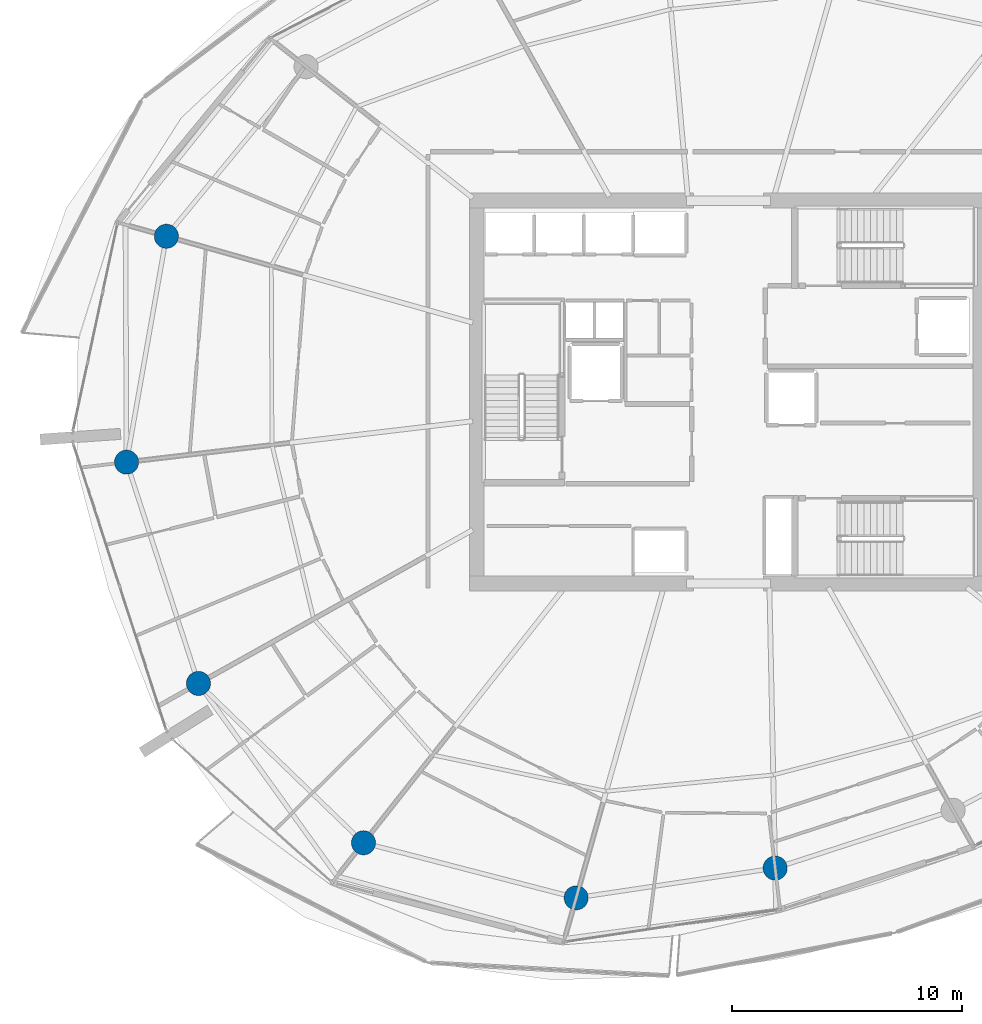
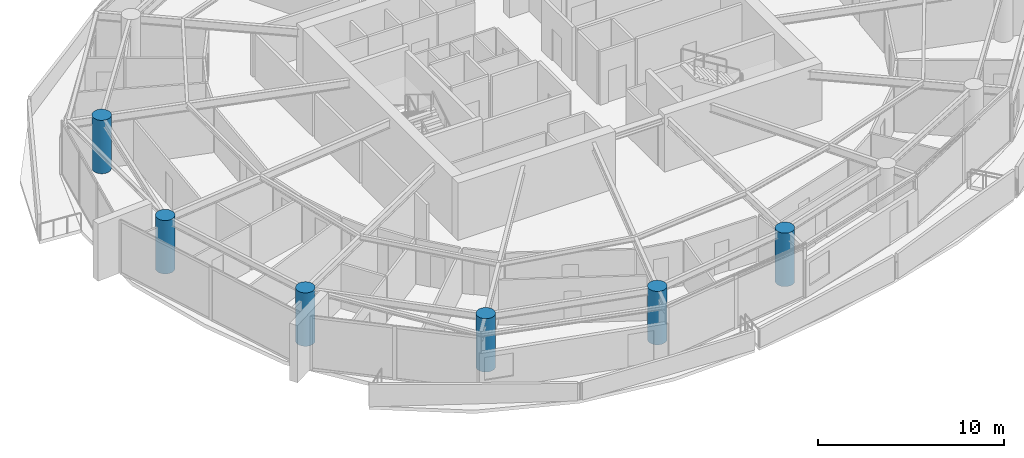
# One storey, part 1 of 21: 6 columns.
"""IFC4 building model written with IfcOpenShell, lengths in metres."""

from ifc_helpers import new_model, si_unit, direction, frame, origin, origin_2d, place, context, subcontext, project, spatial, circle, extrude, material, material_profile, profile_set, type_object, element, save


model = new_model("IFC4")

# Units and contexts
model_context = context("Model", 3, precision=1e-05, world=origin(), true_north=direction((0.0, 1.0)))
body_context = subcontext(model_context, "Body", "Model", "MODEL_VIEW")
ifc_project = project(units=[si_unit("LENGTHUNIT", "METRE"), si_unit("AREAUNIT", "SQUARE_METRE"), si_unit("VOLUMEUNIT", "CUBIC_METRE"), si_unit("PLANEANGLEUNIT", "RADIAN"), si_unit("MASSUNIT", "GRAM", prefix="KILO")], contexts=[model_context])

# Site, building, storey
site_placement = place(None, origin())
site = spatial("IfcSite", under=ifc_project, at=site_placement, CompositionType="ELEMENT")
building_placement = place(site_placement, origin())
building = spatial("IfcBuilding", under=site, at=building_placement, Name="Kazma Halo Residences", CompositionType="ELEMENT")
storey_placement = place(building_placement, frame((0.0, 0.0, 191.550048828125)))
storey = spatial("IfcBuildingStorey", under=building, at=storey_placement, Name="L48", CompositionType="ELEMENT", Elevation=191.550048828125)

# Columns
ifc_material = material(Name="Concrete C80/95", Category="concrete")
ifc_material_profile = material_profile(ifc_material, circle(Radius=0.52490234375, at=origin_2d()), Name="CIRC1050")
ifc_profile_set = profile_set([ifc_material_profile], Name="Concrete C80/95")
column_type = type_object("IfcColumnType", Name="COL-PERIM-1050", PredefinedType="COLUMN", material=ifc_profile_set)
for number, where, z_axis, x_axis, name in (
    (1, (23.980224609375, 48.7744140625, 0.0), (0.0, 0.0, 1.0), (1.0, 0.0, 0.0), "L48 perimeter ring column P07"),
    (2, (22.248291015625, 38.9521484375, 0.0), (0.0, 0.0, 1.0), (1.0, 0.0, 0.0), "L48 perimeter ring column P08"),
    (3, (25.375, 29.329345703125, 0.0), (0.0, 0.0, 1.0), (1.0, 0.0, 0.0), "L48 perimeter ring column P09"),
    (4, (32.54931640625, 22.401123046875, 0.0), (0.0, 0.0, 1.0), (1.0, 0.0, 0.0), "L48 perimeter ring column P10"),
    (5, (41.797607421875, 20.00830078125, 0.0), (0.0, 0.0, 1.0), (1.0, 0.0, 0.0), "L48 perimeter ring column P11"),
    (6, (50.449951171875, 21.30029296875, 0.0), (0.0, 0.0, 1.0), (1.0, 0.0, 0.0), "L48 perimeter ring column P12"),
):
    element("IfcColumn", number, at=place(storey_placement, frame(where, z_axis=z_axis, x_axis=x_axis)), inside=storey, type_object=column_type, Name=name, PredefinedType="COLUMN", context=body_context, shape_type="SweptSolid", body=[
        extrude(circle(Radius=0.52490234375, at=origin_2d()), origin(), (0.0, 0.0, 1.0), 3.5),
    ])

save(model, "model.ifc")
